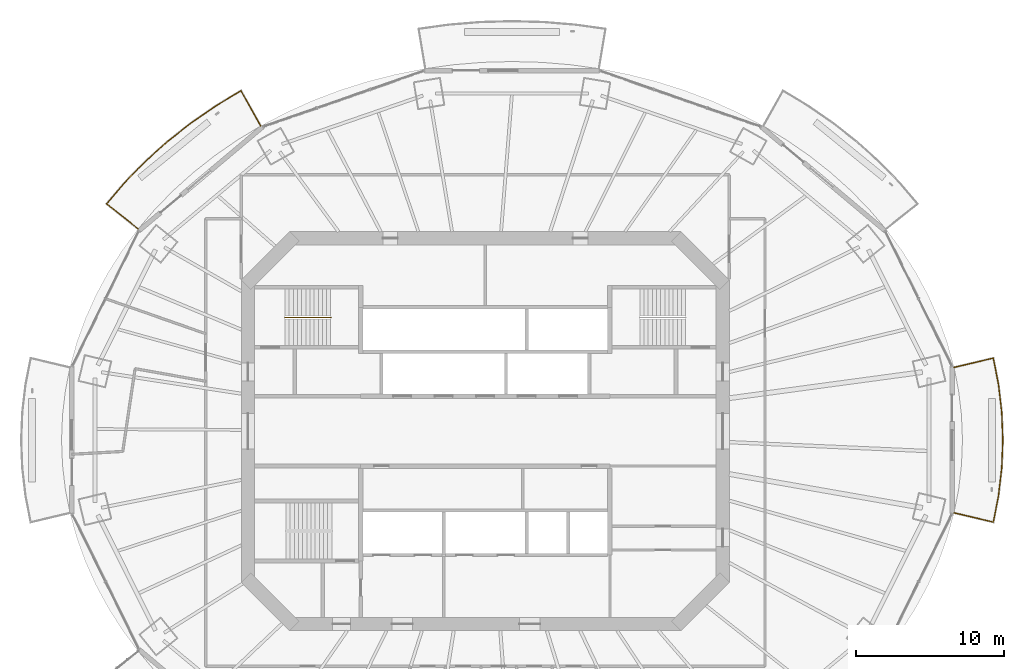
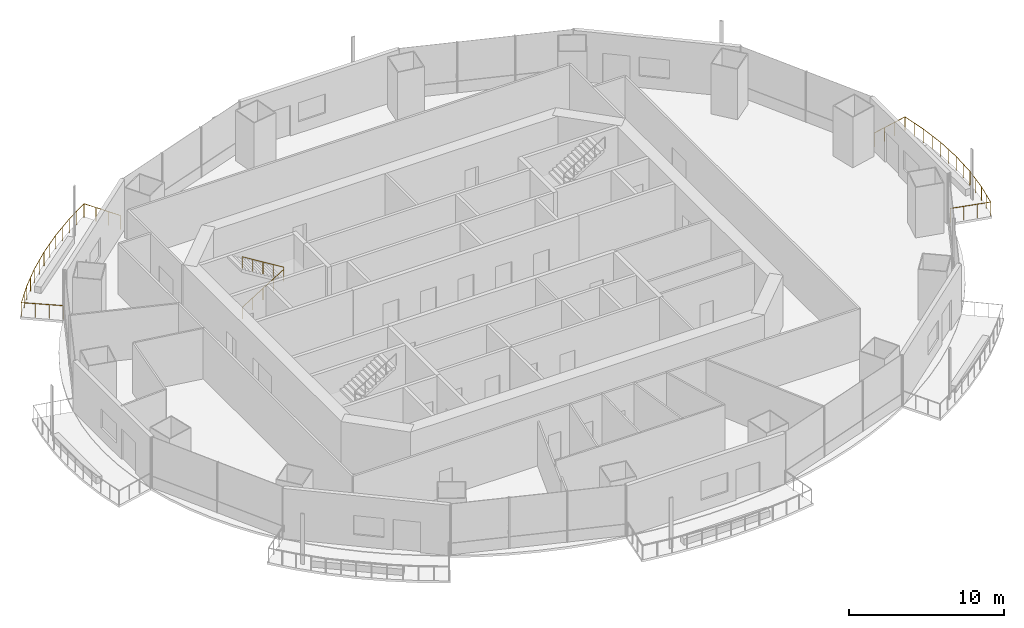
# One storey, part 16 of 19: 3 railings.
"""IFC4 building model written with IfcOpenShell, lengths in metres."""

import ifcopenshell
import ifcopenshell.guid

model = None  # the IFC model being written
_history = None  # IfcOwnerHistory: only IFC2X3 demands one
_inside = {}  # id of a spatial element -> (the spatial element, [elements in it])
_under = {}  # id of a project, library or spatial element -> (it, [spatial elements below it])
_declared = {}  # id of a project -> (the project, [libraries it declares])
_typed = {}  # id of a type object -> (the type object, [elements of that type])
_made_of = {}  # id of a material, layer set ... -> (it, [elements and type objects made of it])


def new_model(schema):
    """Start an empty IFC model of exactly this schema.

    Asked for "IFC4X3", IfcOpenShell would pick the latest addendum, in which some entities
    have other attributes; the version numbers below select the first issue.
    IFC2X3 requires an IfcOwnerHistory on every rooted entity: one is made here for all.
    """
    global model, _history
    if schema == "IFC4X3":
        model = ifcopenshell.file(schema_version=(4, 3, 0, 0))
    else:
        model = ifcopenshell.file(schema=schema)
    _inside.clear()
    _under.clear()
    _declared.clear()
    _typed.clear()
    _made_of.clear()
    _history = None
    if model.schema == "IFC2X3":
        org = make("IfcOrganization", Name="unknown")
        user = make(
            "IfcPersonAndOrganization",
            ThePerson=make("IfcPerson", FamilyName="unknown"),
            TheOrganization=org,
        )
        app = make(
            "IfcApplication",
            ApplicationDeveloper=org,
            Version="unknown",
            ApplicationFullName="unknown",
            ApplicationIdentifier="unknown",
        )
        _history = make(
            "IfcOwnerHistory",
            OwningUser=user,
            OwningApplication=app,
            ChangeAction="ADDED",
            CreationDate=0,
        )
    return model


def make(cls, **values):
    """One entity of the class cls with the attributes given. An attribute that is None is left unset."""
    return model.create_entity(
        cls, **{name: value for name, value in values.items() if value is not None}
    )


def rooted(cls, **values):
    """An entity with a GlobalId (a new one), such as an element, a storey or a relation."""
    return make(cls, GlobalId=ifcopenshell.guid.new(), OwnerHistory=_history, **values)


def si_unit(unit_type, name, prefix=None):
    """IfcSIUnit, for example si_unit("LENGTHUNIT", "METRE", prefix="MILLI")."""
    return make("IfcSIUnit", UnitType=unit_type, Prefix=prefix, Name=name)


def assignment(units):
    """IfcUnitAssignment: the units of a project."""
    return None if units is None else make("IfcUnitAssignment", Units=units)


def point(xyz):
    """IfcCartesianPoint."""
    return None if xyz is None else make("IfcCartesianPoint", Coordinates=xyz)


def direction(xyz):
    """IfcDirection."""
    return None if xyz is None else make("IfcDirection", DirectionRatios=xyz)


def frame(location, z_axis=None, x_axis=None):
    """IfcAxis2Placement3D, a coordinate frame: its origin and axes. An axis left out is left unset."""
    return make(
        "IfcAxis2Placement3D",
        Location=point(location),
        Axis=direction(z_axis),
        RefDirection=direction(x_axis),
    )


def frame_2d(location, x_axis=None):
    """IfcAxis2Placement2D, a coordinate frame in the plane: its origin and x axis."""
    return make(
        "IfcAxis2Placement2D", Location=point(location), RefDirection=direction(x_axis)
    )


def origin():
    """The frame at (0, 0, 0) with its axes left unset."""
    return frame((0.0, 0.0, 0.0))


def origin_2d():
    """The frame at (0, 0) in the plane with its x axis left unset."""
    return frame_2d((0.0, 0.0))


def place(relative_to, where):
    """IfcLocalPlacement: puts the frame where relative to a parent placement (None: the world)."""
    return make(
        "IfcLocalPlacement", PlacementRelTo=relative_to, RelativePlacement=where
    )


def context(
    kind, dimensions, precision=None, world=None, true_north=None, identifier=None
):
    """IfcGeometricRepresentationContext, for example the 3D "Model" context."""
    return make(
        "IfcGeometricRepresentationContext",
        ContextIdentifier=identifier,
        ContextType=kind,
        CoordinateSpaceDimension=dimensions,
        Precision=precision,
        WorldCoordinateSystem=world,
        TrueNorth=true_north,
    )


def subcontext(parent, identifier, kind, view, scale=None):
    """IfcGeometricRepresentationSubContext, for example "Body" below "Model"."""
    return make(
        "IfcGeometricRepresentationSubContext",
        ContextIdentifier=identifier,
        ContextType=kind,
        ParentContext=parent,
        TargetScale=scale,
        TargetView=view,
    )


def project(units=None, contexts=None):
    """IfcProject with its units and contexts."""
    return rooted(
        "IfcProject",
        Name="project",
        RepresentationContexts=contexts,
        UnitsInContext=assignment(units),
    )


def spatial(cls, under=None, at=None, **own):
    """A site, building, storey or space (cls), placed at a placement, below another one or the project."""
    s = rooted(cls, ObjectPlacement=at, **own)
    if under is not None:
        _under.setdefault(under.id(), (under, []))[1].append(s)
    return s


def profile(cls, at=None, kind="AREA", **sizes):
    """A parametric profile (cls). Its sizes go by their IFC names, for example OverallWidth=200.0."""
    return make(cls, ProfileType=kind, Position=at, **sizes)


def circle(**sizes):
    """IfcCircleProfileDef."""
    return profile("IfcCircleProfileDef", **sizes)


def extrude(swept, where, along, depth):
    """IfcExtrudedAreaSolid: the profile swept, set in the frame where, extruded along a direction by depth."""
    return make(
        "IfcExtrudedAreaSolid",
        SweptArea=swept,
        Position=where,
        ExtrudedDirection=direction(along),
        Depth=depth,
    )


def shape(context_of_items, identifier, shape_type, items):
    """IfcShapeRepresentation: the items that make up one representation, for example the "Body"."""
    return make(
        "IfcShapeRepresentation",
        ContextOfItems=context_of_items,
        RepresentationIdentifier=identifier,
        RepresentationType=shape_type,
        Items=items,
    )


def material(Name=None, Category=None):
    """IfcMaterial."""
    return make("IfcMaterial", Name=Name, Category=Category)


def made_of(thing, what):
    """Note that an element or type object is made of a material, layer set ...; save() writes the relation."""
    if what is not None:
        _made_of.setdefault(what.id(), (what, []))[1].append(thing)
    return thing


def type_object(cls, material=None, **own):
    """A type object (cls), such as IfcWallType, which elements share."""
    return made_of(rooted(cls, **own), material)


def element(
    cls,
    number,
    at=None,
    inside=None,
    cuts=None,
    type_object=None,
    material=None,
    context=None,
    identifier="Body",
    shape_type=None,
    held_by="IfcProductDefinitionShape",
    body=None,
    shapes=None,
    **own,
):
    """One element of the class cls, such as IfcWall. Its Tag is "e" and its number.

    at: its placement. inside: the storey or other place that contains it. cuts: it is an
    opening in that element (IfcRelVoidsElement). A single representation is given by context,
    identifier, shape_type and body (its items); several are given by shapes. held_by: the class
    of the entity that holds the representations. save() writes the other relations.
    """
    e = rooted(cls, Tag="e%d" % number, ObjectPlacement=at, **own)
    if body is not None:
        shapes = [shape(context, identifier, shape_type, body)]
    if shapes is not None:
        e.Representation = make(held_by, Representations=shapes)
    if inside is not None:
        _inside.setdefault(inside.id(), (inside, []))[1].append(e)
    if cuts is not None:
        rooted(
            "IfcRelVoidsElement", RelatingBuildingElement=cuts, RelatedOpeningElement=e
        )
    if type_object is not None:
        _typed.setdefault(type_object.id(), (type_object, []))[1].append(e)
    return made_of(e, material)


def aggregate(whole, parts):
    """IfcRelAggregates: a whole, such as a stair, and the parts it consists of."""
    return rooted("IfcRelAggregates", RelatingObject=whole, RelatedObjects=parts)


def save(model, path):
    """Write the relations noted so far, then the file.

    IfcRelAggregates (storeys below a building ...), IfcRelContainedInSpatialStructure (elements
    in a storey), IfcRelDefinesByType, IfcRelAssociatesMaterial and IfcRelDeclares: one each for
    every whole, place, type object, material and project.
    """
    for whole, parts in _under.values():
        aggregate(whole, parts)
    for where, things in _inside.values():
        rooted(
            "IfcRelContainedInSpatialStructure",
            RelatedElements=things,
            RelatingStructure=where,
        )
    for kind, things in _typed.values():
        rooted("IfcRelDefinesByType", RelatedObjects=things, RelatingType=kind)
    for what, things in _made_of.values():
        rooted("IfcRelAssociatesMaterial", RelatedObjects=things, RelatingMaterial=what)
    for by, libraries in _declared.values():
        rooted("IfcRelDeclares", RelatingContext=by, RelatedDefinitions=libraries)
    model.write(path)


model = new_model("IFC4")

# Units and contexts
model_context = context("Model", 3, precision=1e-05, world=origin(), true_north=direction((0.0, 1.0)))
body_context = subcontext(model_context, "Body", "Model", "MODEL_VIEW")
ifc_project = project(units=[si_unit("LENGTHUNIT", "METRE"), si_unit("AREAUNIT", "SQUARE_METRE"), si_unit("VOLUMEUNIT", "CUBIC_METRE"), si_unit("PLANEANGLEUNIT", "RADIAN"), si_unit("MASSUNIT", "GRAM", prefix="KILO")], contexts=[model_context])

# Site, building, storey
site_placement = place(None, origin())
site = spatial("IfcSite", under=ifc_project, at=site_placement, CompositionType="ELEMENT")
building_placement = place(site_placement, origin())
building = spatial("IfcBuilding", under=site, at=building_placement, Name="Marenthal Gate Tower", CompositionType="ELEMENT")
storey_placement = place(building_placement, frame((0.0, 0.0, 239.89990234375)))
storey = spatial("IfcBuildingStorey", under=building, at=storey_placement, Name="L53", CompositionType="ELEMENT", Elevation=239.89990234375)

# Railings
ifc_material_1 = material(Name="Stainless steel", Category="steel")
railing_type_1 = type_object("IfcRailingType", Name="Balcony guard 1100", PredefinedType="GUARDRAIL", material=ifc_material_1)
railing_1_placement = place(storey_placement, frame((-23.397705078125, 13.64013671875, 0.0)))
element("IfcRailing", 1, at=railing_1_placement, inside=storey, type_object=railing_type_1, Name="Balcony guard L53 bay 6", PredefinedType="GUARDRAIL", context=body_context, shape_type="SweptSolid", body=[
    extrude(circle(Radius=0.02392578125, at=origin_2d()), frame((0.0, 0.0, 1.076171875), z_axis=(-0.782934491262, 0.621932144022, -0.014628418395), x_axis=(-0.621998698528, -0.783018275029, 0.0)), (0.0, 0.0, 1.0), 2.720458984375),
    extrude(circle(Radius=0.02392578125, at=origin_2d()), frame((-2.1298828125, 1.69189453125, 1.0361328125), z_axis=(0.649843765812, 0.760067812787, 0.0), x_axis=(-0.760067812787, 0.649843765812, 0.0)), (0.0, 0.0, 1.0), 1.889404296875),
    extrude(circle(Radius=0.02392578125, at=origin_2d()), frame((-0.902099609375, 3.1279296875, 1.0361328125), z_axis=(0.698634154887, 0.715479082591, 0.0), x_axis=(-0.715479082591, 0.698634154887, 0.0)), (0.0, 0.0, 1.0), 1.985595703125),
    extrude(circle(Radius=0.02392578125, at=origin_2d()), frame((0.485107421875, 4.548583984375, 1.0361328125), z_axis=(0.74429356056, 0.667852600286, 0.0), x_axis=(-0.667852600286, 0.74429356056, 0.0)), (0.0, 0.0, 1.0), 2.00244140625),
    extrude(circle(Radius=0.02392578125, at=origin_2d()), frame((1.9755859375, 5.885986328125, 1.0361328125), z_axis=(0.785705367394, 0.618600901752, 0.0), x_axis=(-0.618600901752, 0.785705367394, 0.0)), (0.0, 0.0, 1.0), 2.01904296875),
    extrude(circle(Radius=0.02392578125, at=origin_2d()), frame((3.56201171875, 7.135009765625, 1.0361328125), z_axis=(0.823162524927, 0.567805827335, 0.0), x_axis=(-0.567805827335, 0.823162524927, 0.0)), (0.0, 0.0, 1.0), 2.035400390625),
    extrude(circle(Radius=0.02392578125, at=origin_2d()), frame((5.237548828125, 8.290771484375, 1.0361328125), z_axis=(0.85600344742, 0.516970113262, 0.0), x_axis=(-0.516970113262, 0.85600344742, 0.0)), (0.0, 0.0, 1.0), 1.9716796875),
    extrude(circle(Radius=0.02392578125, at=origin_2d()), frame((6.92529296875, 9.31005859375, 1.0361328125), z_axis=(0.489936046134, -0.871635625582, 0.014628975182), x_axis=(0.87172890858, 0.489988479401, 0.0)), (0.0, 0.0, 1.0), 2.72021484375),
    extrude(circle(Radius=0.02099609375, at=origin_2d()), origin(), (0.0, 0.0, 1.0), 1.052001953125),
    extrude(circle(Radius=0.02099609375, at=origin_2d()), frame((-0.7099609375, 0.56396484375, -0.01318359375)), (0.0, 0.0, 1.0), 1.052001953125),
    extrude(circle(Radius=0.02099609375, at=origin_2d()), frame((-1.419921875, 1.1279296875, -0.026611328125)), (0.0, 0.0, 1.0), 1.052001953125),
    extrude(circle(Radius=0.02099609375, at=origin_2d()), frame((-2.1298828125, 1.69189453125, -0.039794921875)), (0.0, 0.0, 1.0), 1.052001953125),
    extrude(circle(Radius=0.02099609375, at=origin_2d()), frame((-1.51611328125, 2.409912109375, -0.039794921875)), (0.0, 0.0, 1.0), 1.052001953125),
    extrude(circle(Radius=0.02099609375, at=origin_2d()), frame((-0.902099609375, 3.1279296875, -0.039794921875)), (0.0, 0.0, 1.0), 1.052001953125),
    extrude(circle(Radius=0.02099609375, at=origin_2d()), frame((-0.20849609375, 3.83837890625, -0.039794921875)), (0.0, 0.0, 1.0), 1.052001953125),
    extrude(circle(Radius=0.02099609375, at=origin_2d()), frame((0.485107421875, 4.548583984375, -0.039794921875)), (0.0, 0.0, 1.0), 1.052001953125),
    extrude(circle(Radius=0.02099609375, at=origin_2d()), frame((1.23046875, 5.21728515625, -0.039794921875)), (0.0, 0.0, 1.0), 1.052001953125),
    extrude(circle(Radius=0.02099609375, at=origin_2d()), frame((1.9755859375, 5.885986328125, -0.039794921875)), (0.0, 0.0, 1.0), 1.052001953125),
    extrude(circle(Radius=0.02099609375, at=origin_2d()), frame((2.768798828125, 6.510498046875, -0.039794921875)), (0.0, 0.0, 1.0), 1.052001953125),
    extrude(circle(Radius=0.02099609375, at=origin_2d()), frame((3.56201171875, 7.135009765625, -0.039794921875)), (0.0, 0.0, 1.0), 1.052001953125),
    extrude(circle(Radius=0.02099609375, at=origin_2d()), frame((4.39990234375, 7.712890625, -0.039794921875)), (0.0, 0.0, 1.0), 1.052001953125),
    extrude(circle(Radius=0.02099609375, at=origin_2d()), frame((5.237548828125, 8.290771484375, -0.039794921875)), (0.0, 0.0, 1.0), 1.052001953125),
    extrude(circle(Radius=0.02099609375, at=origin_2d()), frame((6.08154296875, 8.80029296875, -0.039794921875)), (0.0, 0.0, 1.0), 1.052001953125),
    extrude(circle(Radius=0.02099609375, at=origin_2d()), frame((6.92529296875, 9.31005859375, -0.039794921875)), (0.0, 0.0, 1.0), 1.052001953125),
    extrude(circle(Radius=0.02099609375, at=origin_2d()), frame((7.36962890625, 8.519775390625, -0.026611328125)), (0.0, 0.0, 1.0), 1.052001953125),
    extrude(circle(Radius=0.02099609375, at=origin_2d()), frame((7.813720703125, 7.729248046875, -0.01318359375)), (0.0, 0.0, 1.0), 1.052001953125),
    extrude(circle(Radius=0.02099609375, at=origin_2d()), frame((8.258056640625, 6.93896484375, 0.0)), (0.0, 0.0, 1.0), 1.052001953125),
])
railing_2_placement = place(storey_placement, frame((31.599853515625, 4.300537109375, 0.0)))
element("IfcRailing", 2, at=railing_2_placement, inside=storey, type_object=railing_type_1, Name="Balcony guard L53 bay 16", PredefinedType="GUARDRAIL", context=body_context, shape_type="SweptSolid", body=[
    extrude(circle(Radius=0.02392578125, at=origin_2d()), frame((0.0, 0.0, 1.076171875), z_axis=(0.97305343456, 0.23011520072, -0.01462900847), x_axis=(-0.230139827907, 0.97315757183, 0.0)), (0.0, 0.0, 1.0), 2.72021484375),
    extrude(circle(Radius=0.02392578125, at=origin_2d()), frame((2.64697265625, 0.6259765625, 1.0361328125), z_axis=(0.191155100965, -0.981559844011, 0.0), x_axis=(0.981559844011, 0.191155100965, 0.0)), (0.0, 0.0, 1.0), 1.80859375),
    extrude(circle(Radius=0.02392578125, at=origin_2d()), frame((2.99267578125, -1.149169921875, 1.0361328125), z_axis=(0.116375051579, -0.993205339983, 0.0), x_axis=(0.993205339983, 0.116375051579, 0.0)), (0.0, 0.0, 1.0), 1.8837890625),
    extrude(circle(Radius=0.02392578125, at=origin_2d()), frame((3.2119140625, -3.020263671875, 1.0361328125), z_axis=(0.038921407749, -0.999242274936, 0.0), x_axis=(0.999242274936, 0.038921407749, 0.0)), (0.0, 0.0, 1.0), 1.8818359375),
    extrude(circle(Radius=0.02392578125, at=origin_2d()), frame((3.28515625, -4.900634765625, 1.0361328125), z_axis=(-0.038926454163, -0.999242078361, 0.0), x_axis=(0.999242078361, -0.038926454163, 0.0)), (0.0, 0.0, 1.0), 1.881591796875),
    extrude(circle(Radius=0.02392578125, at=origin_2d()), frame((3.2119140625, -6.78076171875, 1.0361328125), z_axis=(-0.116360074506, -0.99320709475, 0.0), x_axis=(0.99320709475, -0.116360074506, 0.0)), (0.0, 0.0, 1.0), 1.884033203125),
    extrude(circle(Radius=0.02392578125, at=origin_2d()), frame((2.99267578125, -8.652099609375, 1.0361328125), z_axis=(-0.191180433682, -0.98155491022, 0.0), x_axis=(0.98155491022, -0.191180433682, 0.0)), (0.0, 0.0, 1.0), 1.808349609375),
    extrude(circle(Radius=0.02392578125, at=origin_2d()), frame((2.64697265625, -10.427001953125, 1.0361328125), z_axis=(-0.973073527248, 0.230030202023, 0.014629310546), x_axis=(-0.23005482113, -0.97317767097, 0.0)), (0.0, 0.0, 1.0), 2.72021484375),
    extrude(circle(Radius=0.02099609375, at=origin_2d()), origin(), (0.0, 0.0, 1.0), 1.052001953125),
    extrude(circle(Radius=0.02099609375, at=origin_2d()), frame((0.88232421875, 0.208740234375, -0.01318359375)), (0.0, 0.0, 1.0), 1.052001953125),
    extrude(circle(Radius=0.02099609375, at=origin_2d()), frame((1.7646484375, 0.417236328125, -0.026611328125)), (0.0, 0.0, 1.0), 1.052001953125),
    extrude(circle(Radius=0.02099609375, at=origin_2d()), frame((2.64697265625, 0.6259765625, -0.039794921875)), (0.0, 0.0, 1.0), 1.052001953125),
    extrude(circle(Radius=0.02099609375, at=origin_2d()), frame((2.81982421875, -0.26171875, -0.039794921875)), (0.0, 0.0, 1.0), 1.052001953125),
    extrude(circle(Radius=0.02099609375, at=origin_2d()), frame((2.99267578125, -1.149169921875, -0.039794921875)), (0.0, 0.0, 1.0), 1.052001953125),
    extrude(circle(Radius=0.02099609375, at=origin_2d()), frame((3.102294921875, -2.084716796875, -0.039794921875)), (0.0, 0.0, 1.0), 1.052001953125),
    extrude(circle(Radius=0.02099609375, at=origin_2d()), frame((3.2119140625, -3.020263671875, -0.039794921875)), (0.0, 0.0, 1.0), 1.052001953125),
    extrude(circle(Radius=0.02099609375, at=origin_2d()), frame((3.24853515625, -3.96044921875, -0.039794921875)), (0.0, 0.0, 1.0), 1.052001953125),
    extrude(circle(Radius=0.02099609375, at=origin_2d()), frame((3.28515625, -4.900634765625, -0.039794921875)), (0.0, 0.0, 1.0), 1.052001953125),
    extrude(circle(Radius=0.02099609375, at=origin_2d()), frame((3.24853515625, -5.8408203125, -0.039794921875)), (0.0, 0.0, 1.0), 1.052001953125),
    extrude(circle(Radius=0.02099609375, at=origin_2d()), frame((3.2119140625, -6.78076171875, -0.039794921875)), (0.0, 0.0, 1.0), 1.052001953125),
    extrude(circle(Radius=0.02099609375, at=origin_2d()), frame((3.102294921875, -7.71630859375, -0.039794921875)), (0.0, 0.0, 1.0), 1.052001953125),
    extrude(circle(Radius=0.02099609375, at=origin_2d()), frame((2.99267578125, -8.652099609375, -0.039794921875)), (0.0, 0.0, 1.0), 1.052001953125),
    extrude(circle(Radius=0.02099609375, at=origin_2d()), frame((2.81982421875, -9.53955078125, -0.039794921875)), (0.0, 0.0, 1.0), 1.052001953125),
    extrude(circle(Radius=0.02099609375, at=origin_2d()), frame((2.64697265625, -10.427001953125, -0.039794921875)), (0.0, 0.0, 1.0), 1.052001953125),
    extrude(circle(Radius=0.02099609375, at=origin_2d()), frame((1.7646484375, -10.218505859375, -0.026611328125)), (0.0, 0.0, 1.0), 1.052001953125),
    extrude(circle(Radius=0.02099609375, at=origin_2d()), frame((0.88232421875, -10.009765625, -0.01318359375)), (0.0, 0.0, 1.0), 1.052001953125),
    extrude(circle(Radius=0.02099609375, at=origin_2d()), frame((0.0, -9.80126953125, 0.0)), (0.0, 0.0, 1.0), 1.052001953125),
])
ifc_material_2 = material(Name="Stainless steel", Category="steel")
railing_type_2 = type_object("IfcRailingType", Name="Stair handrail", PredefinedType="HANDRAIL", material=ifc_material_2)
railing_3_placement = place(storey_placement, frame((-13.5, 7.675048828125, 0.173095703125)))
element("IfcRailing", 3, at=railing_3_placement, inside=storey, type_object=railing_type_2, Name="Handrail ST1", PredefinedType="HANDRAIL", context=body_context, shape_type="SweptSolid", body=[
    extrude(circle(Radius=0.0224609375, at=origin_2d()), frame((0.0, 0.0, 0.927490234375), z_axis=(0.850835241893, 0.0, 0.525432575268), x_axis=(0.0, 1.0, 0.0)), (0.0, 0.0, 1.0), 3.6201171875),
    extrude(circle(Radius=0.0224609375, at=origin_2d()), frame((3.080078125, 0.0, 2.82958984375), z_axis=(0.0, 0.0, 1.0), x_axis=(1.0, 0.0, 0.0)), (0.0, 0.0, 1.0), 0.1728515625),
    extrude(circle(Radius=0.0224609375, at=origin_2d()), frame((3.080078125, 0.0, 3.00244140625), z_axis=(-0.850835241893, 0.0, 0.525432575268), x_axis=(0.0, -1.0, 0.0)), (0.0, 0.0, 1.0), 3.6201171875),
    extrude(circle(Radius=0.02001953125, at=origin_2d()), origin(), (0.0, 0.0, 1.0), 0.905029296875),
    extrude(circle(Radius=0.02001953125, at=origin_2d()), frame((0.77001953125, 0.0, 0.4755859375)), (0.0, 0.0, 1.0), 0.905029296875),
    extrude(circle(Radius=0.02001953125, at=origin_2d()), frame((1.5400390625, 0.0, 0.951171875)), (0.0, 0.0, 1.0), 0.905029296875),
    extrude(circle(Radius=0.02001953125, at=origin_2d()), frame((2.31005859375, 0.0, 1.426513671875)), (0.0, 0.0, 1.0), 0.905029296875),
    extrude(circle(Radius=0.02001953125, at=origin_2d()), frame((3.080078125, 0.0, 1.902099609375)), (0.0, 0.0, 1.0), 0.905029296875),
    extrude(circle(Radius=0.02001953125, at=origin_2d()), frame((3.080078125, 0.0, 2.074951171875)), (0.0, 0.0, 1.0), 0.905029296875),
    extrude(circle(Radius=0.02001953125, at=origin_2d()), frame((2.31005859375, 0.0, 2.550537109375)), (0.0, 0.0, 1.0), 0.905029296875),
    extrude(circle(Radius=0.02001953125, at=origin_2d()), frame((1.5400390625, 0.0, 3.02587890625)), (0.0, 0.0, 1.0), 0.905029296875),
    extrude(circle(Radius=0.02001953125, at=origin_2d()), frame((0.77001953125, 0.0, 3.50146484375)), (0.0, 0.0, 1.0), 0.905029296875),
    extrude(circle(Radius=0.02001953125, at=origin_2d()), frame((0.0, 0.0, 3.97705078125)), (0.0, 0.0, 1.0), 0.905029296875),
])

save(model, "model.ifc")
